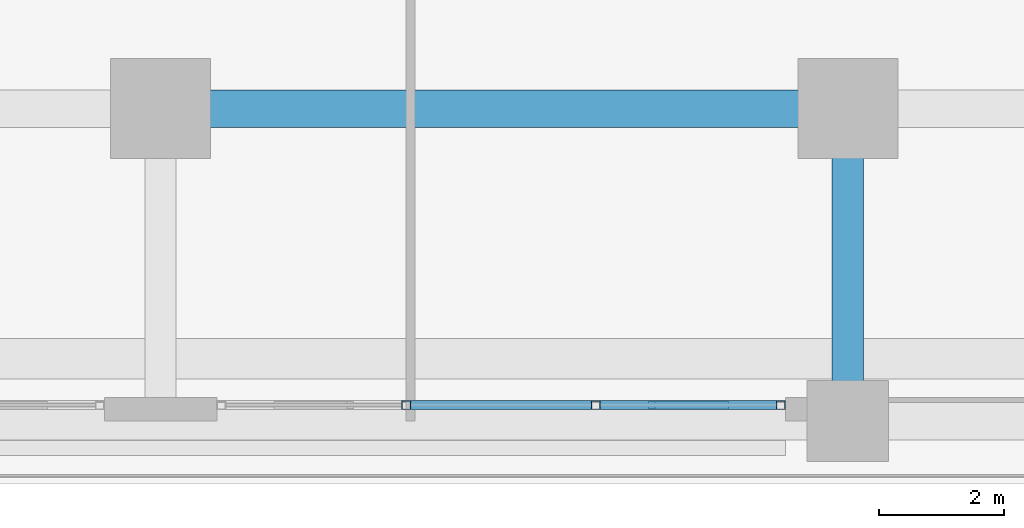
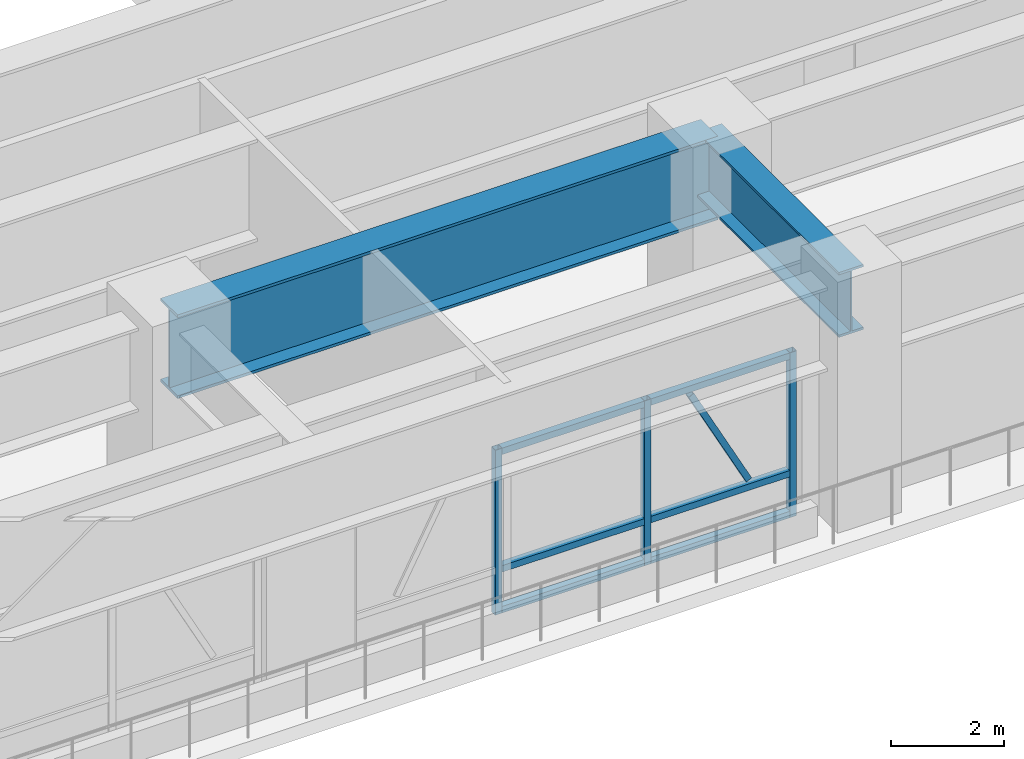
# One storey, part 6 of 28: 10 members, 2 beams, 1 element without a shape of its own.
"""IFC4 building model written with IfcOpenShell, lengths in metres."""

import ifcopenshell
import ifcopenshell.guid

model = None  # the IFC model being written
_history = None  # IfcOwnerHistory: only IFC2X3 demands one
_inside = {}  # id of a spatial element -> (the spatial element, [elements in it])
_under = {}  # id of a project, library or spatial element -> (it, [spatial elements below it])
_declared = {}  # id of a project -> (the project, [libraries it declares])
_typed = {}  # id of a type object -> (the type object, [elements of that type])
_made_of = {}  # id of a material, layer set ... -> (it, [elements and type objects made of it])


def new_model(schema):
    """Start an empty IFC model of exactly this schema.

    Asked for "IFC4X3", IfcOpenShell would pick the latest addendum, in which some entities
    have other attributes; the version numbers below select the first issue.
    IFC2X3 requires an IfcOwnerHistory on every rooted entity: one is made here for all.
    """
    global model, _history
    if schema == "IFC4X3":
        model = ifcopenshell.file(schema_version=(4, 3, 0, 0))
    else:
        model = ifcopenshell.file(schema=schema)
    _inside.clear()
    _under.clear()
    _declared.clear()
    _typed.clear()
    _made_of.clear()
    _history = None
    if model.schema == "IFC2X3":
        org = make("IfcOrganization", Name="unknown")
        user = make(
            "IfcPersonAndOrganization",
            ThePerson=make("IfcPerson", FamilyName="unknown"),
            TheOrganization=org,
        )
        app = make(
            "IfcApplication",
            ApplicationDeveloper=org,
            Version="unknown",
            ApplicationFullName="unknown",
            ApplicationIdentifier="unknown",
        )
        _history = make(
            "IfcOwnerHistory",
            OwningUser=user,
            OwningApplication=app,
            ChangeAction="ADDED",
            CreationDate=0,
        )
    return model


def make(cls, **values):
    """One entity of the class cls with the attributes given. An attribute that is None is left unset."""
    return model.create_entity(
        cls, **{name: value for name, value in values.items() if value is not None}
    )


def rooted(cls, **values):
    """An entity with a GlobalId (a new one), such as an element, a storey or a relation."""
    return make(cls, GlobalId=ifcopenshell.guid.new(), OwnerHistory=_history, **values)


def si_unit(unit_type, name, prefix=None):
    """IfcSIUnit, for example si_unit("LENGTHUNIT", "METRE", prefix="MILLI")."""
    return make("IfcSIUnit", UnitType=unit_type, Prefix=prefix, Name=name)


def assignment(units):
    """IfcUnitAssignment: the units of a project."""
    return None if units is None else make("IfcUnitAssignment", Units=units)


def point(xyz):
    """IfcCartesianPoint."""
    return None if xyz is None else make("IfcCartesianPoint", Coordinates=xyz)


def direction(xyz):
    """IfcDirection."""
    return None if xyz is None else make("IfcDirection", DirectionRatios=xyz)


def frame(location, z_axis=None, x_axis=None):
    """IfcAxis2Placement3D, a coordinate frame: its origin and axes. An axis left out is left unset."""
    return make(
        "IfcAxis2Placement3D",
        Location=point(location),
        Axis=direction(z_axis),
        RefDirection=direction(x_axis),
    )


def frame_2d(location, x_axis=None):
    """IfcAxis2Placement2D, a coordinate frame in the plane: its origin and x axis."""
    return make(
        "IfcAxis2Placement2D", Location=point(location), RefDirection=direction(x_axis)
    )


def origin():
    """The frame at (0, 0, 0) with its axes left unset."""
    return frame((0.0, 0.0, 0.0))


def origin_2d():
    """The frame at (0, 0) in the plane with its x axis left unset."""
    return frame_2d((0.0, 0.0))


def place(relative_to, where):
    """IfcLocalPlacement: puts the frame where relative to a parent placement (None: the world)."""
    return make(
        "IfcLocalPlacement", PlacementRelTo=relative_to, RelativePlacement=where
    )


def context(
    kind, dimensions, precision=None, world=None, true_north=None, identifier=None
):
    """IfcGeometricRepresentationContext, for example the 3D "Model" context."""
    return make(
        "IfcGeometricRepresentationContext",
        ContextIdentifier=identifier,
        ContextType=kind,
        CoordinateSpaceDimension=dimensions,
        Precision=precision,
        WorldCoordinateSystem=world,
        TrueNorth=true_north,
    )


def subcontext(parent, identifier, kind, view, scale=None):
    """IfcGeometricRepresentationSubContext, for example "Body" below "Model"."""
    return make(
        "IfcGeometricRepresentationSubContext",
        ContextIdentifier=identifier,
        ContextType=kind,
        ParentContext=parent,
        TargetScale=scale,
        TargetView=view,
    )


def project(units=None, contexts=None):
    """IfcProject with its units and contexts."""
    return rooted(
        "IfcProject",
        Name="project",
        RepresentationContexts=contexts,
        UnitsInContext=assignment(units),
    )


def spatial(cls, under=None, at=None, **own):
    """A site, building, storey or space (cls), placed at a placement, below another one or the project."""
    s = rooted(cls, ObjectPlacement=at, **own)
    if under is not None:
        _under.setdefault(under.id(), (under, []))[1].append(s)
    return s


def profile(cls, at=None, kind="AREA", **sizes):
    """A parametric profile (cls). Its sizes go by their IFC names, for example OverallWidth=200.0."""
    return make(cls, ProfileType=kind, Position=at, **sizes)


def hollow_rectangle(**sizes):
    """IfcRectangleHollowProfileDef."""
    return profile("IfcRectangleHollowProfileDef", **sizes)


def i_section(**sizes):
    """IfcIShapeProfileDef."""
    return profile("IfcIShapeProfileDef", **sizes)


def extrude(swept, where, along, depth):
    """IfcExtrudedAreaSolid: the profile swept, set in the frame where, extruded along a direction by depth."""
    return make(
        "IfcExtrudedAreaSolid",
        SweptArea=swept,
        Position=where,
        ExtrudedDirection=direction(along),
        Depth=depth,
    )


def shape(context_of_items, identifier, shape_type, items):
    """IfcShapeRepresentation: the items that make up one representation, for example the "Body"."""
    return make(
        "IfcShapeRepresentation",
        ContextOfItems=context_of_items,
        RepresentationIdentifier=identifier,
        RepresentationType=shape_type,
        Items=items,
    )


def source(mapping_origin, context_of_items, identifier, shape_type, items):
    """IfcRepresentationMap: a shape defined once, which mapped items show again and again."""
    return make(
        "IfcRepresentationMap",
        MappingOrigin=mapping_origin,
        MappedRepresentation=shape(context_of_items, identifier, shape_type, items),
    )


def transform(
    local_origin,
    x_axis=None,
    y_axis=None,
    z_axis=None,
    scale=None,
    scale2=None,
    scale3=None,
    uniform=True,
):
    """IfcCartesianTransformationOperator3D, or its non-uniform kind. x_axis, y_axis, z_axis: its Axis1, 2, 3."""
    if uniform:
        return make(
            "IfcCartesianTransformationOperator3D",
            Axis1=direction(x_axis),
            Axis2=direction(y_axis),
            LocalOrigin=point(local_origin),
            Scale=scale,
            Axis3=direction(z_axis),
        )
    return make(
        "IfcCartesianTransformationOperator3DnonUniform",
        Axis1=direction(x_axis),
        Axis2=direction(y_axis),
        LocalOrigin=point(local_origin),
        Scale=scale,
        Axis3=direction(z_axis),
        Scale2=scale2,
        Scale3=scale3,
    )


def mapped(mapping_source, mapping_target):
    """IfcMappedItem: shows the shape of a source again, moved by a transform."""
    return make(
        "IfcMappedItem", MappingSource=mapping_source, MappingTarget=mapping_target
    )


def material(Name=None, Category=None):
    """IfcMaterial."""
    return make("IfcMaterial", Name=Name, Category=Category)


def material_profile(
    of_material, cross_section, Name=None, Category=None, Priority=None
):
    """IfcMaterialProfile: a cross section and its material."""
    return make(
        "IfcMaterialProfile",
        Name=Name,
        Material=of_material,
        Profile=cross_section,
        Priority=Priority,
        Category=Category,
    )


def profile_set(profiles, Name=None, composite=None):
    """IfcMaterialProfileSet."""
    return make(
        "IfcMaterialProfileSet",
        Name=Name,
        MaterialProfiles=profiles,
        CompositeProfile=composite,
    )


def made_of(thing, what):
    """Note that an element or type object is made of a material, layer set ...; save() writes the relation."""
    if what is not None:
        _made_of.setdefault(what.id(), (what, []))[1].append(thing)
    return thing


def type_object(cls, material=None, **own):
    """A type object (cls), such as IfcWallType, which elements share."""
    return made_of(rooted(cls, **own), material)


def element(
    cls,
    number,
    at=None,
    inside=None,
    cuts=None,
    type_object=None,
    material=None,
    context=None,
    identifier="Body",
    shape_type=None,
    held_by="IfcProductDefinitionShape",
    body=None,
    shapes=None,
    **own,
):
    """One element of the class cls, such as IfcWall. Its Tag is "e" and its number.

    at: its placement. inside: the storey or other place that contains it. cuts: it is an
    opening in that element (IfcRelVoidsElement). A single representation is given by context,
    identifier, shape_type and body (its items); several are given by shapes. held_by: the class
    of the entity that holds the representations. save() writes the other relations.
    """
    e = rooted(cls, Tag="e%d" % number, ObjectPlacement=at, **own)
    if body is not None:
        shapes = [shape(context, identifier, shape_type, body)]
    if shapes is not None:
        e.Representation = make(held_by, Representations=shapes)
    if inside is not None:
        _inside.setdefault(inside.id(), (inside, []))[1].append(e)
    if cuts is not None:
        rooted(
            "IfcRelVoidsElement", RelatingBuildingElement=cuts, RelatedOpeningElement=e
        )
    if type_object is not None:
        _typed.setdefault(type_object.id(), (type_object, []))[1].append(e)
    return made_of(e, material)


def aggregate(whole, parts):
    """IfcRelAggregates: a whole, such as a stair, and the parts it consists of."""
    return rooted("IfcRelAggregates", RelatingObject=whole, RelatedObjects=parts)


def save(model, path):
    """Write the relations noted so far, then the file.

    IfcRelAggregates (storeys below a building ...), IfcRelContainedInSpatialStructure (elements
    in a storey), IfcRelDefinesByType, IfcRelAssociatesMaterial and IfcRelDeclares: one each for
    every whole, place, type object, material and project.
    """
    for whole, parts in _under.values():
        aggregate(whole, parts)
    for where, things in _inside.values():
        rooted(
            "IfcRelContainedInSpatialStructure",
            RelatedElements=things,
            RelatingStructure=where,
        )
    for kind, things in _typed.values():
        rooted("IfcRelDefinesByType", RelatedObjects=things, RelatingType=kind)
    for what, things in _made_of.values():
        rooted("IfcRelAssociatesMaterial", RelatedObjects=things, RelatingMaterial=what)
    for by, libraries in _declared.values():
        rooted("IfcRelDeclares", RelatingContext=by, RelatedDefinitions=libraries)
    model.write(path)


model = new_model("IFC4")

# Units and contexts
model_context = context("Model", 3, precision=1e-05, world=origin(), true_north=direction((0.0, 1.0)))
body_context = subcontext(model_context, "Body", "Model", "MODEL_VIEW")
ifc_project = project(units=[si_unit("LENGTHUNIT", "METRE"), si_unit("AREAUNIT", "SQUARE_METRE"), si_unit("VOLUMEUNIT", "CUBIC_METRE"), si_unit("PLANEANGLEUNIT", "RADIAN"), si_unit("MASSUNIT", "GRAM", prefix="KILO")], contexts=[model_context])

# Site, building, storey
site_placement = place(None, origin())
site = spatial("IfcSite", under=ifc_project, at=site_placement, CompositionType="ELEMENT")
building_placement = place(site_placement, origin())
building = spatial("IfcBuilding", under=site, at=building_placement, Name="Khorayat Bourse Tower", CompositionType="ELEMENT")
storey_placement = place(building_placement, frame((0.0, 0.0, 6.60009765625)))
storey = spatial("IfcBuildingStorey", under=building, at=storey_placement, Name="L01", CompositionType="ELEMENT", Elevation=6.60009765625)

# Beams
ifc_material_1 = material(Name="Steel EN 10025-4 S460M", Category="steel")
ifc_material_profile_1 = material_profile(ifc_material_1, i_section(OverallWidth=0.60009765625, OverallDepth=1.800048828125, WebThickness=0.031982421875, FlangeThickness=0.06005859375, at=origin_2d()), Name="PG 1800x600x32x60")
ifc_profile_set_1 = profile_set([ifc_material_profile_1], Name="Steel EN 10025-4 S460M")
beam_type_1 = type_object("IfcBeamType", Name="BM-TR-1800", PredefinedType="BEAM", material=ifc_profile_set_1)
shared_shape_1 = source(origin(), body_context, "Body", "SweptSolid", [
    extrude(i_section(OverallWidth=0.60009765625, OverallDepth=1.800048828125, WebThickness=0.031982421875, FlangeThickness=0.06005859375, at=origin_2d()), origin(), (0.0, 0.0, 1.0), 11.0),
])
beam_1_placement = place(storey_placement, frame((0.0, -32.0, 4.179931640625), z_axis=(1.0, 0.0, 0.0), x_axis=(0.0, 1.0, 0.0)))
element("IfcBeam", 1, at=beam_1_placement, inside=storey, type_object=beam_type_1, Name="L01 BM-TR-1800 BM-L01-PGX-040", PredefinedType="BEAM", context=body_context, shape_type="MappedRepresentation", body=[
    mapped(shared_shape_1, transform((0.0, 0.0, 0.0), scale=1.0)),
])
ifc_material_profile_2 = material_profile(ifc_material_1, i_section(OverallWidth=0.5, OverallDepth=1.39990234375, WebThickness=0.02490234375, FlangeThickness=0.050048828125, at=origin_2d()), Name="PG 1400x500x25x50")
ifc_profile_set_2 = profile_set([ifc_material_profile_2], Name="Steel EN 10025-4 S460M")
beam_type_2 = type_object("IfcBeamType", Name="BM-TR-1400", PredefinedType="BEAM", material=ifc_profile_set_2)
shared_shape_2 = source(origin(), body_context, "Body", "SweptSolid", [
    extrude(i_section(OverallWidth=0.5, OverallDepth=1.39990234375, WebThickness=0.02490234375, FlangeThickness=0.050048828125, at=origin_2d()), origin(), (0.0, 0.0, 1.0), 5.0),
])
beam_2_placement = place(storey_placement, frame((11.0, -37.0, 4.3798828125), z_axis=(0.0, 1.0, 0.0), x_axis=(-1.0, 0.0, 0.0)))
element("IfcBeam", 2, at=beam_2_placement, inside=storey, type_object=beam_type_2, Name="L01 BM-TR-1400 BM-L01-PGY-133", PredefinedType="BEAM", context=body_context, shape_type="MappedRepresentation", body=[
    mapped(shared_shape_2, transform((0.0, 0.0, 0.0), scale=1.0)),
])

# Curtain wall, members
ifc_material_2 = material(Name="Aluminium EN AW-6063 T6", Category="aluminium")
curtain_wall_type = type_object("IfcCurtainWallType", Name="CW-SYS-01", PredefinedType="NOTDEFINED", material=ifc_material_2)
curtain_wall_placement = place(storey_placement, origin())
curtain_wall = element("IfcCurtainWall", 3, at=curtain_wall_placement, inside=storey, type_object=curtain_wall_type, Name="L01 Curtain Wall CW-L01-SE", PredefinedType="NOTDEFINED")
ifc_material_profile_3 = material_profile(ifc_material_2, hollow_rectangle(XDim=0.139892578125, YDim=0.139892578125, WallThickness=0.006103515625, at=origin_2d()), Name="ALU 140x140x6")
ifc_profile_set_3 = profile_set([ifc_material_profile_3], Name="Aluminium EN AW-6063 T6")
member_type_1 = type_object("IfcMemberType", Name="CWM-VERT-140", PredefinedType="MULLION", material=ifc_profile_set_3)
shared_shape_3 = source(origin(), body_context, "Body", "SweptSolid", [
    extrude(hollow_rectangle(XDim=0.139892578125, YDim=0.139892578125, WallThickness=0.006103515625, at=origin_2d()), origin(), (0.0, 0.0, 1.0), 3.5498046875),
])
member_1_placement = place(storey_placement, frame((3.933349609375, -36.742919921875, 0.0), z_axis=(0.0, 0.0, 1.0), x_axis=(0.0, 1.0, 0.0)))
member_1 = element("IfcMember", 4, at=member_1_placement, type_object=member_type_1, Name="CW-L01-SE Vertical Mullion 2", PredefinedType="MULLION", context=body_context, shape_type="MappedRepresentation", body=[
    mapped(shared_shape_3, transform((0.0, 0.0, 0.0), scale=1.0)),
])
member_2_placement = place(storey_placement, frame((6.966552734375, -36.742919921875, 0.0), z_axis=(0.0, 0.0, 1.0), x_axis=(0.0, 1.0, 0.0)))
member_2 = element("IfcMember", 5, at=member_2_placement, type_object=member_type_1, Name="CW-L01-SE Vertical Mullion 3", PredefinedType="MULLION", context=body_context, shape_type="MappedRepresentation", body=[
    mapped(shared_shape_3, transform((0.0, 0.0, 0.0), scale=1.0)),
])
member_3_placement = place(storey_placement, frame((9.929931640625, -36.742919921875, 0.0), z_axis=(0.0, 0.0, 1.0), x_axis=(0.0, 1.0, 0.0)))
member_3 = element("IfcMember", 6, at=member_3_placement, type_object=member_type_1, Name="CW-L01-SE Vertical Mullion 4", PredefinedType="MULLION", context=body_context, shape_type="MappedRepresentation", body=[
    mapped(shared_shape_3, transform((0.0, 0.0, 0.0), scale=1.0)),
])
ifc_material_profile_4 = material_profile(ifc_material_2, hollow_rectangle(XDim=0.139892578125, YDim=0.139892578125, WallThickness=0.006103515625, at=origin_2d()), Name="ALU 140x140x6")
ifc_profile_set_4 = profile_set([ifc_material_profile_4], Name="Aluminium EN AW-6063 T6")
member_type_2 = type_object("IfcMemberType", Name="CWT-HORZ-140", PredefinedType="USERDEFINED", material=ifc_profile_set_4)
shared_shape_4 = source(origin(), body_context, "Body", "SweptSolid", [
    extrude(hollow_rectangle(XDim=0.139892578125, YDim=0.139892578125, WallThickness=0.006103515625, at=origin_2d()), origin(), (0.0, 0.0, 1.0), 2.823486328125),
])
member_4_placement = place(storey_placement, frame((7.03662109375, -36.742919921875, 0.06982421875), z_axis=(1.0, 0.0, 0.0), x_axis=(0.0, 1.0, 0.0)))
member_4 = element("IfcMember", 7, at=member_4_placement, type_object=member_type_2, Name="CW-L01-SE Horizontal Transom 3-1", ObjectType="TRANSOM", PredefinedType="USERDEFINED", context=body_context, shape_type="MappedRepresentation", body=[
    mapped(shared_shape_4, transform((0.0, 0.0, 0.0), scale=1.0)),
])
member_5_placement = place(storey_placement, frame((7.03662109375, -36.742919921875, 0.949951171875), z_axis=(1.0, 0.0, 0.0), x_axis=(0.0, 1.0, 0.0)))
member_5 = element("IfcMember", 8, at=member_5_placement, type_object=member_type_2, Name="CW-L01-SE Horizontal Transom 3-2", ObjectType="TRANSOM", PredefinedType="USERDEFINED", context=body_context, shape_type="MappedRepresentation", body=[
    mapped(shared_shape_4, transform((0.0, 0.0, 0.0), scale=1.0)),
])
member_6_placement = place(storey_placement, frame((7.03662109375, -36.742919921875, 3.47998046875), z_axis=(1.0, 0.0, 0.0), x_axis=(0.0, 1.0, 0.0)))
member_6 = element("IfcMember", 9, at=member_6_placement, type_object=member_type_2, Name="CW-L01-SE Horizontal Transom 3-3", ObjectType="TRANSOM", PredefinedType="USERDEFINED", context=body_context, shape_type="MappedRepresentation", body=[
    mapped(shared_shape_4, transform((0.0, 0.0, 0.0), scale=1.0)),
])
ifc_material_profile_5 = material_profile(ifc_material_2, hollow_rectangle(XDim=0.1201171875, YDim=0.1201171875, WallThickness=0.0048828125, at=origin_2d()), Name="ALU 120x120x5")
ifc_profile_set_5 = profile_set([ifc_material_profile_5], Name="Aluminium EN AW-6063 T6")
member_type_3 = type_object("IfcMemberType", Name="CWM-DIAG-120", PredefinedType="MULLION", material=ifc_profile_set_5)
shared_shape_5 = source(origin(), body_context, "Body", "SweptSolid", [
    extrude(hollow_rectangle(XDim=0.1201171875, YDim=0.1201171875, WallThickness=0.0048828125, at=origin_2d()), origin(), (0.0, 0.0, 1.0), 2.52001953125),
])
member_7_placement = place(storey_placement, frame((9.03515625, -36.742919921875, 1.099853515625), z_axis=(-0.465718481425, 0.0, 0.884932933085), x_axis=(0.0, -1.0, 0.0)))
member_7 = element("IfcMember", 10, at=member_7_placement, type_object=member_type_3, Name="CW-L01-SE Faceted Diagonal Mullion 3", PredefinedType="MULLION", context=body_context, shape_type="MappedRepresentation", body=[
    mapped(shared_shape_5, transform((0.0, 0.0, 0.0), scale=1.0)),
])
shared_shape_6 = source(origin(), body_context, "Body", "SweptSolid", [
    extrude(hollow_rectangle(XDim=0.139892578125, YDim=0.139892578125, WallThickness=0.006103515625, at=origin_2d()), origin(), (0.0, 0.0, 1.0), 2.893310546875),
])
member_8_placement = place(storey_placement, frame((4.00341796875, -36.742919921875, 0.06982421875), z_axis=(1.0, 0.0, 0.0), x_axis=(0.0, 1.0, 0.0)))
member_8 = element("IfcMember", 11, at=member_8_placement, type_object=member_type_2, Name="CW-L01-SE Horizontal Transom 2-1", ObjectType="TRANSOM", PredefinedType="USERDEFINED", context=body_context, shape_type="MappedRepresentation", body=[
    mapped(shared_shape_6, transform((0.0, 0.0, 0.0), scale=1.0)),
])
member_9_placement = place(storey_placement, frame((4.00341796875, -36.742919921875, 0.949951171875), z_axis=(1.0, 0.0, 0.0), x_axis=(0.0, 1.0, 0.0)))
member_9 = element("IfcMember", 12, at=member_9_placement, type_object=member_type_2, Name="CW-L01-SE Horizontal Transom 2-2", ObjectType="TRANSOM", PredefinedType="USERDEFINED", context=body_context, shape_type="MappedRepresentation", body=[
    mapped(shared_shape_6, transform((0.0, 0.0, 0.0), scale=1.0)),
])
member_10_placement = place(storey_placement, frame((4.00341796875, -36.742919921875, 3.47998046875), z_axis=(1.0, 0.0, 0.0), x_axis=(0.0, 1.0, 0.0)))
member_10 = element("IfcMember", 13, at=member_10_placement, type_object=member_type_2, Name="CW-L01-SE Horizontal Transom 2-3", ObjectType="TRANSOM", PredefinedType="USERDEFINED", context=body_context, shape_type="MappedRepresentation", body=[
    mapped(shared_shape_6, transform((0.0, 0.0, 0.0), scale=1.0)),
])
aggregate(curtain_wall, [member_1, member_2, member_3, member_8, member_9, member_10, member_4, member_5, member_6, member_7])

save(model, "model.ifc")
